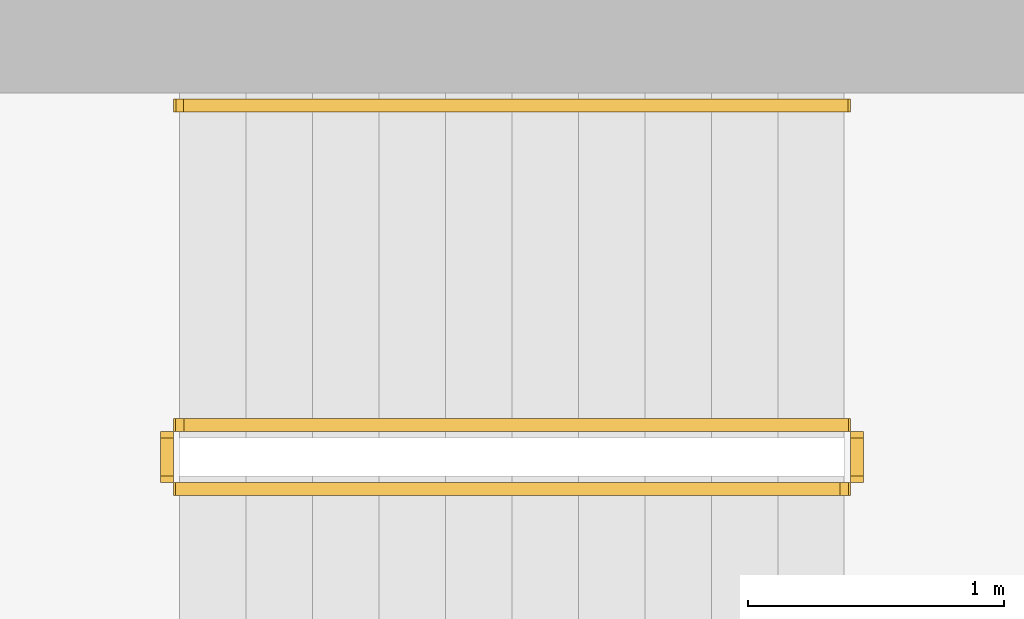
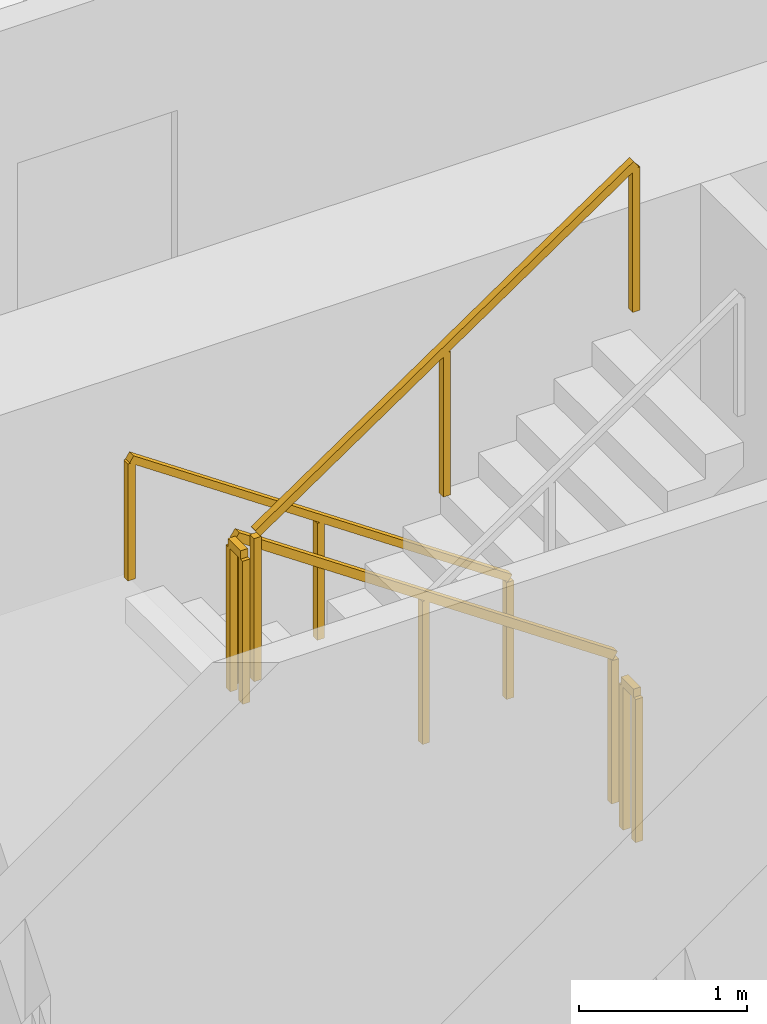
# One storey, part 13 of 14: 5 railings.
"""IFC4 building model written with IfcOpenShell, lengths in metres."""

from ifc_helpers import new_model, si_unit, direction, frame, origin, origin_2d, place, context, subcontext, project, spatial, rectangle, extrude, material, type_object, element, save


model = new_model("IFC4")

# Units and contexts
model_context = context("Model", 3, precision=1e-05, world=origin(), true_north=direction((0.0, 1.0)))
body_context = subcontext(model_context, "Body", "Model", "MODEL_VIEW")
ifc_project = project(units=[si_unit("LENGTHUNIT", "METRE"), si_unit("AREAUNIT", "SQUARE_METRE"), si_unit("VOLUMEUNIT", "CUBIC_METRE"), si_unit("PLANEANGLEUNIT", "RADIAN"), si_unit("MASSUNIT", "GRAM", prefix="KILO")], contexts=[model_context])

# Site, building, storey
site_placement = place(None, origin())
site = spatial("IfcSite", under=ifc_project, at=site_placement, CompositionType="ELEMENT")
building_placement = place(site_placement, origin())
building = spatial("IfcBuilding", under=site, at=building_placement, Name="Khepri Terraces", CompositionType="ELEMENT")
storey_placement = place(building_placement, frame((0.0, 0.0, 122.10009765625)))
storey = spatial("IfcBuildingStorey", under=building, at=storey_placement, Name="L29", CompositionType="ELEMENT", Elevation=122.10009765625)

# Railings
ifc_material = material(Name="Stainless steel 316", Category="steel")
railing_type_1 = type_object("IfcRailingType", Name="RL-CORE-GUARD", PredefinedType="GUARDRAIL", material=ifc_material)
railing_1_placement = place(storey_placement, frame((-0.25, 8.800048828125, 0.17724609375)))
element("IfcRailing", 1, at=railing_1_placement, inside=storey, type_object=railing_type_1, Name="L29 ST-3 stair guard 1", PredefinedType="GUARDRAIL", context=body_context, shape_type="SweptSolid", body=[
    extrude(rectangle(XDim=0.050048828125, YDim=0.06005859375, at=origin_2d()), frame((0.0, 0.0, 1.070068359375), z_axis=(-0.826240473404, 0.0, 0.563317565952), x_axis=(0.0, -1.0, 0.0)), (0.0, 0.0, 1.0), 3.14697265625),
    extrude(rectangle(XDim=0.050048828125, YDim=0.050048828125, at=origin_2d()), origin(), (0.0, 0.0, 1.0), 1.0400390625),
    extrude(rectangle(XDim=0.050048828125, YDim=0.050048828125, at=origin_2d()), frame((-1.300048828125, 0.0, 0.88623046875)), (0.0, 0.0, 1.0), 1.0400390625),
    extrude(rectangle(XDim=0.050048828125, YDim=0.050048828125, at=origin_2d()), frame((-2.60009765625, 0.0, 1.772705078125)), (0.0, 0.0, 1.0), 1.0400390625),
])
railing_2_placement = place(storey_placement, frame((-2.89990234375, 8.75, 1.949951171875)))
element("IfcRailing", 2, at=railing_2_placement, inside=storey, type_object=railing_type_1, Name="L29 ST-3 stair guard 2", PredefinedType="GUARDRAIL", context=body_context, shape_type="SweptSolid", body=[
    extrude(rectangle(XDim=0.050048828125, YDim=0.06005859375, at=origin_2d()), frame((0.0, 0.0, 1.070068359375), z_axis=(0.0, -1.0, 0.0), x_axis=(1.0, 0.0, 0.0)), (0.0, 0.0, 1.0), 0.14990234375),
    extrude(rectangle(XDim=0.050048828125, YDim=0.050048828125, at=origin_2d()), origin(), (0.0, 0.0, 1.0), 1.0400390625),
    extrude(rectangle(XDim=0.050048828125, YDim=0.050048828125, at=origin_2d()), frame((0.0, -0.14990234375, 0.0)), (0.0, 0.0, 1.0), 1.0400390625),
])
railing_3_placement = place(storey_placement, frame((-2.85009765625, 8.550048828125, 2.127197265625)))
element("IfcRailing", 3, at=railing_3_placement, inside=storey, type_object=railing_type_1, Name="L29 ST-3 stair guard 3", PredefinedType="GUARDRAIL", context=body_context, shape_type="SweptSolid", body=[
    extrude(rectangle(XDim=0.050048828125, YDim=0.06005859375, at=origin_2d()), frame((0.0, 0.0, 1.070068359375), z_axis=(0.826240473404, 0.0, 0.563317565952), x_axis=(0.0, 1.0, 0.0)), (0.0, 0.0, 1.0), 3.14697265625),
    extrude(rectangle(XDim=0.050048828125, YDim=0.050048828125, at=origin_2d()), origin(), (0.0, 0.0, 1.0), 1.0400390625),
    extrude(rectangle(XDim=0.050048828125, YDim=0.050048828125, at=origin_2d()), frame((1.300048828125, 0.0, 0.88623046875)), (0.0, 0.0, 1.0), 1.0400390625),
    extrude(rectangle(XDim=0.050048828125, YDim=0.050048828125, at=origin_2d()), frame((2.60009765625, 0.0, 1.772705078125)), (0.0, 0.0, 1.0), 1.0400390625),
])
railing_4_placement = place(storey_placement, frame((-0.199951171875, 8.75, 0.0)))
element("IfcRailing", 4, at=railing_4_placement, inside=storey, type_object=railing_type_1, Name="L29 ST-3 stair guard 4", PredefinedType="GUARDRAIL", context=body_context, shape_type="SweptSolid", body=[
    extrude(rectangle(XDim=0.050048828125, YDim=0.06005859375, at=origin_2d()), frame((0.0, 0.0, 1.070068359375), z_axis=(0.0, -1.0, 0.0), x_axis=(1.0, 0.0, 0.0)), (0.0, 0.0, 1.0), 0.14990234375),
    extrude(rectangle(XDim=0.050048828125, YDim=0.050048828125, at=origin_2d()), origin(), (0.0, 0.0, 1.0), 1.0400390625),
    extrude(rectangle(XDim=0.050048828125, YDim=0.050048828125, at=origin_2d()), frame((0.0, -0.14990234375, 0.0)), (0.0, 0.0, 1.0), 1.0400390625),
])
railing_type_2 = type_object("IfcRailingType", Name="RL-CORE-HANDRAIL", PredefinedType="HANDRAIL", material=ifc_material)
railing_5_placement = place(storey_placement, frame((-0.25, 10.050048828125, 0.17724609375)))
element("IfcRailing", 5, at=railing_5_placement, inside=storey, type_object=railing_type_2, Name="L29 ST-3 stair handrail 1", PredefinedType="HANDRAIL", context=body_context, shape_type="SweptSolid", body=[
    extrude(rectangle(XDim=0.050048828125, YDim=0.050048828125, at=origin_2d()), frame((0.0, 0.0, 0.875), z_axis=(-0.826240473404, 0.0, 0.563317565952), x_axis=(0.0, -1.0, 0.0)), (0.0, 0.0, 1.0), 3.14697265625),
    extrude(rectangle(XDim=0.050048828125, YDim=0.050048828125, at=origin_2d()), origin(), (0.0, 0.0, 1.0), 0.849853515625),
    extrude(rectangle(XDim=0.050048828125, YDim=0.050048828125, at=origin_2d()), frame((-1.300048828125, 0.0, 0.88623046875)), (0.0, 0.0, 1.0), 0.849853515625),
    extrude(rectangle(XDim=0.050048828125, YDim=0.050048828125, at=origin_2d()), frame((-2.60009765625, 0.0, 1.772705078125)), (0.0, 0.0, 1.0), 0.849853515625),
])

save(model, "model.ifc")
